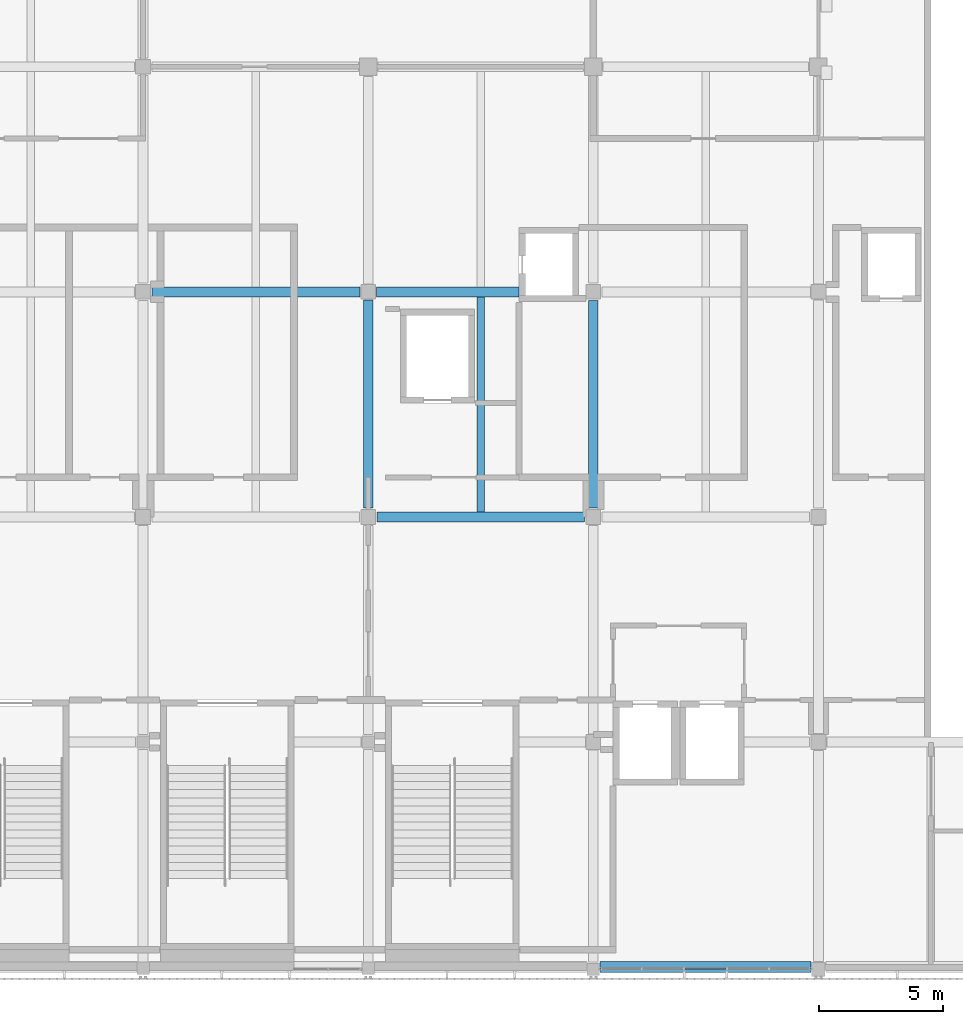
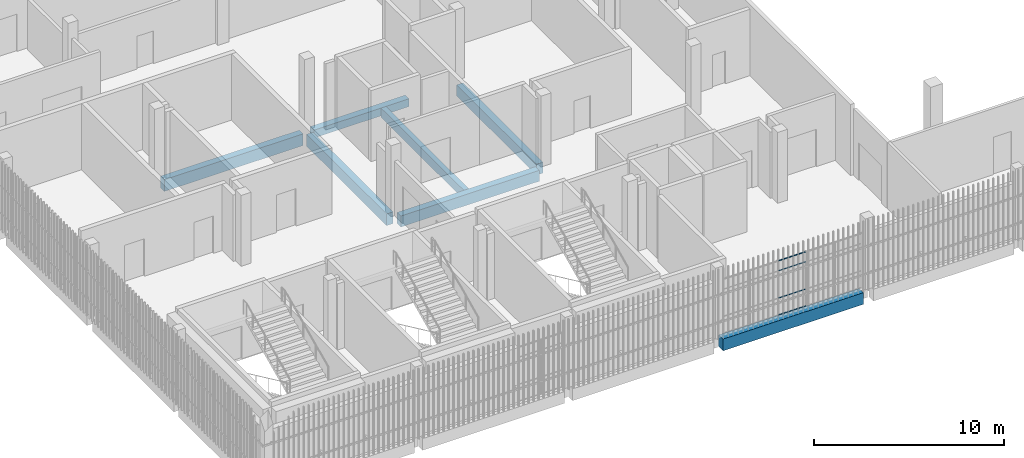
# One storey, part 8 of 124: 7 beams, 4 members, 1 element without a shape of its own.
"""IFC4 building model written with IfcOpenShell, lengths in metres."""

from ifc_helpers import new_model, si_unit, direction, frame, origin, origin_2d, place, context, subcontext, project, spatial, rectangle, hollow_rectangle, extrude, material, layer, layer_set, material_profile, profile_set, type_object, element, aggregate, save


model = new_model("IFC4")

# Units and contexts
model_context = context("Model", 3, precision=1e-05, world=origin(), true_north=direction((0.0, 1.0)))
body_context = subcontext(model_context, "Body", "Model", "MODEL_VIEW")
ifc_project = project(units=[si_unit("LENGTHUNIT", "METRE"), si_unit("AREAUNIT", "SQUARE_METRE"), si_unit("VOLUMEUNIT", "CUBIC_METRE"), si_unit("PLANEANGLEUNIT", "RADIAN"), si_unit("MASSUNIT", "GRAM", prefix="KILO")], contexts=[model_context])

# Site, building, storey
site_placement = place(None, origin())
site = spatial("IfcSite", under=ifc_project, at=site_placement, CompositionType="ELEMENT")
building_placement = place(site_placement, origin())
building = spatial("IfcBuilding", under=site, at=building_placement, Name="Shirokan Park Arena", CompositionType="ELEMENT")
storey_placement = place(building_placement, frame((0.0, 0.0, 20.02001953125)))
storey = spatial("IfcBuildingStorey", under=building, at=storey_placement, Name="L04", CompositionType="ELEMENT", Elevation=20.02001953125)

# Beams
ifc_material_1 = material(Name="Concrete C35", Category="concrete")
ifc_material_profile_1 = material_profile(ifc_material_1, rectangle(XDim=0.39990234375, YDim=0.5, at=origin_2d()), Name="400x500")
ifc_profile_set_1 = profile_set([ifc_material_profile_1], Name="Concrete C35")
beam_type_1 = type_object("IfcBeamType", Name="RC girder 400x500", PredefinedType="BEAM", material=ifc_profile_set_1)
beam_1_placement = place(storey_placement, frame((18.525146484375, 27.300048828125, -0.5), z_axis=(1.0, 0.0, 0.0), x_axis=(0.0, 1.0, 0.0)))
element("IfcBeam", 1, at=beam_1_placement, inside=storey, type_object=beam_type_1, Name="Girder 3D-4D L04", PredefinedType="BEAM", context=body_context, shape_type="SweptSolid", body=[
    extrude(rectangle(XDim=0.39990234375, YDim=0.5, at=origin_2d()), origin(), (0.0, 0.0, 1.0), 5.77490234375),
])
ifc_material_profile_2 = material_profile(ifc_material_1, rectangle(XDim=0.39990234375, YDim=0.699951171875, at=origin_2d()), Name="400x700")
ifc_profile_set_2 = profile_set([ifc_material_profile_2], Name="Concrete C35")
beam_type_2 = type_object("IfcBeamType", Name="RC girder 400x700", PredefinedType="BEAM", material=ifc_profile_set_2)
for number, where, z_axis, x_axis, name in (
    (2, (18.550048828125, 18.199951171875, -0.60009765625), (1.0, 0.0, 0.0), (0.0, 1.0, 0.0), "Girder 3C-4C L04"),
    (3, (27.300048828125, 18.550048828125, -0.60009765625), (0.0, 1.0, 0.0), (-1.0, 0.0, 0.0), "Girder 4C-4D L04"),
):
    element("IfcBeam", number, at=place(storey_placement, frame(where, z_axis=z_axis, x_axis=x_axis)), inside=storey, type_object=beam_type_2, Name=name, PredefinedType="BEAM", context=body_context, shape_type="SweptSolid", body=[
        extrude(rectangle(XDim=0.39990234375, YDim=0.699951171875, at=origin_2d()), origin(), (0.0, 0.0, 1.0), 8.39990234375),
    ])
ifc_material_profile_3 = material_profile(ifc_material_1, rectangle(XDim=0.39990234375, YDim=0.75, at=origin_2d()), Name="400x750")
ifc_profile_set_3 = profile_set([ifc_material_profile_3], Name="Concrete C35")
beam_type_3 = type_object("IfcBeamType", Name="RC girder 400x750", PredefinedType="BEAM", material=ifc_profile_set_3)
for number, where, z_axis, x_axis, name in (
    (4, (9.4501953125, 27.300048828125, -0.625), (1.0, 0.0, 0.0), (0.0, 1.0, 0.0), "Girder 2D-3D L04"),
    (5, (18.199951171875, 18.550048828125, -0.625), (0.0, 1.0, 0.0), (-1.0, 0.0, 0.0), "Girder 3C-3D L04"),
):
    element("IfcBeam", number, at=place(storey_placement, frame(where, z_axis=z_axis, x_axis=x_axis)), inside=storey, type_object=beam_type_3, Name=name, PredefinedType="BEAM", context=body_context, shape_type="SweptSolid", body=[
        extrude(rectangle(XDim=0.39990234375, YDim=0.75, at=origin_2d()), origin(), (0.0, 0.0, 1.0), 8.4248046875),
    ])
ifc_material_profile_4 = material_profile(ifc_material_1, rectangle(XDim=0.449951171875, YDim=0.75, at=origin_2d()), Name="450x750")
ifc_profile_set_4 = profile_set([ifc_material_profile_4], Name="Concrete C35")
beam_type_4 = type_object("IfcBeamType", Name="RC girder 450x750", PredefinedType="BEAM", material=ifc_profile_set_4)
beam_2_placement = place(storey_placement, frame((27.5751953125, 0.0, -0.625), z_axis=(1.0, 0.0, 0.0), x_axis=(0.0, 1.0, 0.0)))
element("IfcBeam", 6, at=beam_2_placement, inside=storey, type_object=beam_type_4, Name="Girder 4A-5A L04", PredefinedType="BEAM", context=body_context, shape_type="SweptSolid", body=[
    extrude(rectangle(XDim=0.449951171875, YDim=0.75, at=origin_2d()), origin(), (0.0, 0.0, 1.0), 8.524658203125),
])
ifc_material_profile_5 = material_profile(ifc_material_1, rectangle(XDim=0.300048828125, YDim=0.60009765625, at=origin_2d()), Name="300x600")
ifc_profile_set_5 = profile_set([ifc_material_profile_5], Name="Concrete C35")
beam_type_5 = type_object("IfcBeamType", Name="RC joist 300x600", PredefinedType="JOIST", material=ifc_profile_set_5)
beam_3_placement = place(storey_placement, frame((22.75, 18.39990234375, -0.550048828125), z_axis=(0.0, 1.0, 0.0), x_axis=(-1.0, 0.0, 0.0)))
element("IfcBeam", 7, at=beam_3_placement, inside=storey, type_object=beam_type_5, Name="Joist 3C L04", PredefinedType="JOIST", context=body_context, shape_type="SweptSolid", body=[
    extrude(rectangle(XDim=0.300048828125, YDim=0.60009765625, at=origin_2d()), origin(), (0.0, 0.0, 1.0), 8.7001953125),
])

# Curtain wall, members
ifc_material_2 = material(Name="Steel and glass curtain wall", Category="steel")
ifc_layer = layer(ifc_material_2, 0.14990234375)
ifc_layer_set = layer_set([ifc_layer], Name="Steel and glass curtain wall 150 mm")
curtain_wall_type = type_object("IfcCurtainWallType", Name="Curtain wall exposed bay 150", PredefinedType="NOTDEFINED", material=ifc_layer_set)
curtain_wall_placement = place(storey_placement, origin())
curtain_wall = element("IfcCurtainWall", 8, at=curtain_wall_placement, inside=storey, type_object=curtain_wall_type, Name="Curtain wall south bay 4 L04", PredefinedType="NOTDEFINED")
ifc_material_3 = material(Name="Steel S355", Category="steel")
ifc_material_profile_6 = material_profile(ifc_material_3, hollow_rectangle(XDim=0.06005859375, YDim=0.0400390625, WallThickness=0.00390625, at=origin_2d()), Name="RHS 60x40x4")
ifc_profile_set_6 = profile_set([ifc_material_profile_6], Name="Steel S355")
member_type = type_object("IfcMemberType", Name="Transom RHS 60x40x4", PredefinedType="MULLION", material=ifc_profile_set_6)
member_1_placement = place(storey_placement, frame((31.0048828125, -0.074951171875, 0.02001953125), z_axis=(1.0, 0.0, 0.0), x_axis=(0.0, 1.0, 0.0)))
member_1 = element("IfcMember", 9, at=member_1_placement, type_object=member_type, Name="CW1 transom 3.1", PredefinedType="MULLION", context=body_context, shape_type="SweptSolid", body=[
    extrude(hollow_rectangle(XDim=0.06005859375, YDim=0.0400390625, WallThickness=0.00390625, at=origin_2d()), origin(), (0.0, 0.0, 1.0), 1.6650390625),
])
member_2_placement = place(storey_placement, frame((31.0048828125, -0.074951171875, 1.10009765625), z_axis=(1.0, 0.0, 0.0), x_axis=(0.0, 1.0, 0.0)))
member_2 = element("IfcMember", 10, at=member_2_placement, type_object=member_type, Name="CW1 transom 3.2", PredefinedType="MULLION", context=body_context, shape_type="SweptSolid", body=[
    extrude(hollow_rectangle(XDim=0.06005859375, YDim=0.0400390625, WallThickness=0.00390625, at=origin_2d()), origin(), (0.0, 0.0, 1.0), 1.6650390625),
])
member_3_placement = place(storey_placement, frame((31.0048828125, -0.074951171875, 2.85009765625), z_axis=(1.0, 0.0, 0.0), x_axis=(0.0, 1.0, 0.0)))
member_3 = element("IfcMember", 11, at=member_3_placement, type_object=member_type, Name="CW1 transom 3.3", PredefinedType="MULLION", context=body_context, shape_type="SweptSolid", body=[
    extrude(hollow_rectangle(XDim=0.06005859375, YDim=0.0400390625, WallThickness=0.00390625, at=origin_2d()), origin(), (0.0, 0.0, 1.0), 1.6650390625),
])
member_4_placement = place(storey_placement, frame((31.0048828125, -0.074951171875, 3.47998046875), z_axis=(1.0, 0.0, 0.0), x_axis=(0.0, 1.0, 0.0)))
member_4 = element("IfcMember", 12, at=member_4_placement, type_object=member_type, Name="CW1 transom 3.4", PredefinedType="MULLION", context=body_context, shape_type="SweptSolid", body=[
    extrude(hollow_rectangle(XDim=0.06005859375, YDim=0.0400390625, WallThickness=0.00390625, at=origin_2d()), origin(), (0.0, 0.0, 1.0), 1.6650390625),
])
aggregate(curtain_wall, [member_1, member_2, member_3, member_4])

save(model, "model.ifc")
